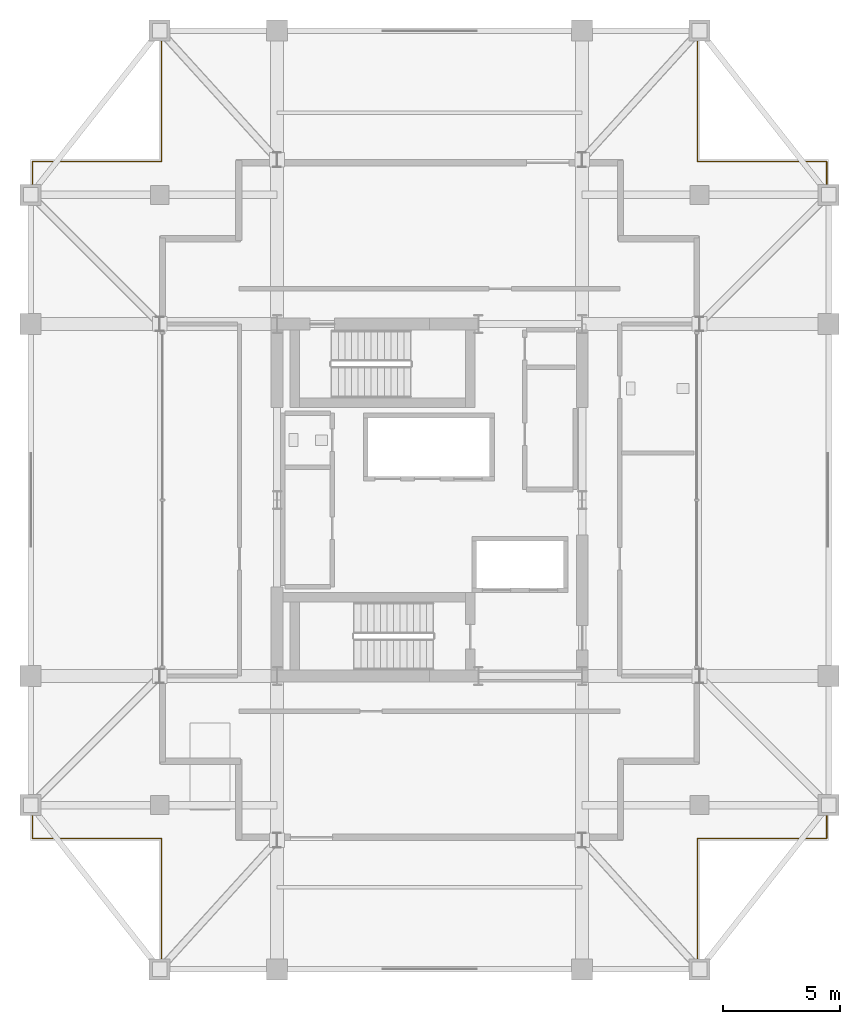
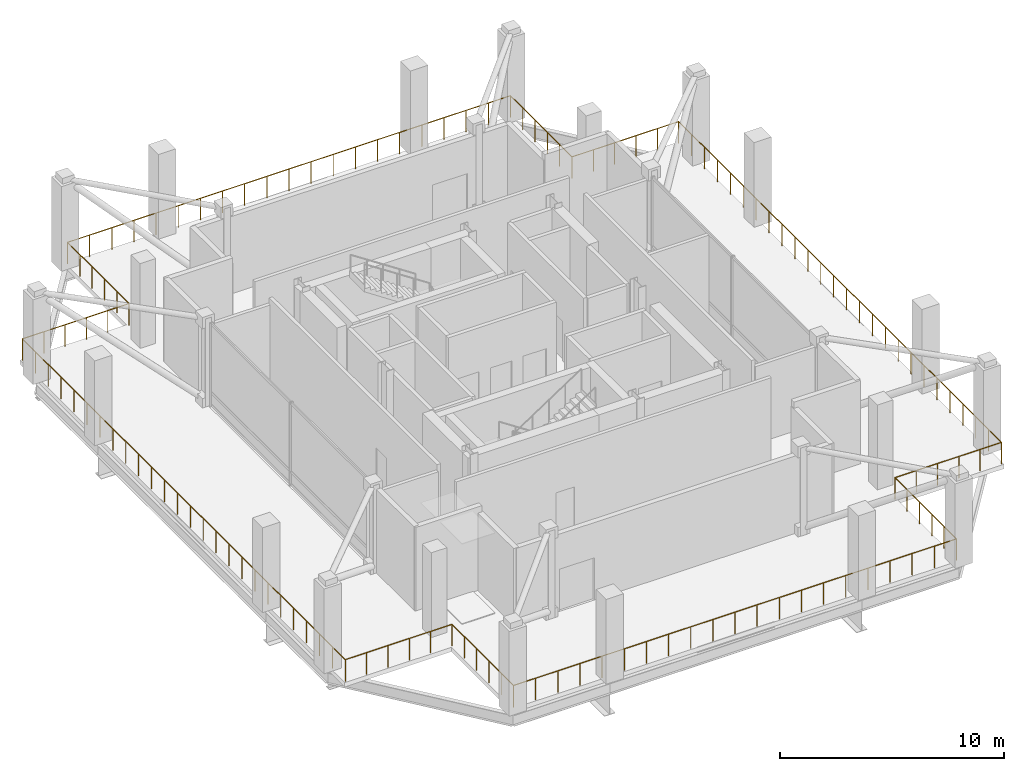
# One storey, part 15 of 17: 1 railing.
"""IFC4 building model written with IfcOpenShell, lengths in metres."""

import ifcopenshell
import ifcopenshell.guid

model = None  # the IFC model being written
_history = None  # IfcOwnerHistory: only IFC2X3 demands one
_inside = {}  # id of a spatial element -> (the spatial element, [elements in it])
_under = {}  # id of a project, library or spatial element -> (it, [spatial elements below it])
_declared = {}  # id of a project -> (the project, [libraries it declares])
_typed = {}  # id of a type object -> (the type object, [elements of that type])
_made_of = {}  # id of a material, layer set ... -> (it, [elements and type objects made of it])


def new_model(schema):
    """Start an empty IFC model of exactly this schema.

    Asked for "IFC4X3", IfcOpenShell would pick the latest addendum, in which some entities
    have other attributes; the version numbers below select the first issue.
    IFC2X3 requires an IfcOwnerHistory on every rooted entity: one is made here for all.
    """
    global model, _history
    if schema == "IFC4X3":
        model = ifcopenshell.file(schema_version=(4, 3, 0, 0))
    else:
        model = ifcopenshell.file(schema=schema)
    _inside.clear()
    _under.clear()
    _declared.clear()
    _typed.clear()
    _made_of.clear()
    _history = None
    if model.schema == "IFC2X3":
        org = make("IfcOrganization", Name="unknown")
        user = make(
            "IfcPersonAndOrganization",
            ThePerson=make("IfcPerson", FamilyName="unknown"),
            TheOrganization=org,
        )
        app = make(
            "IfcApplication",
            ApplicationDeveloper=org,
            Version="unknown",
            ApplicationFullName="unknown",
            ApplicationIdentifier="unknown",
        )
        _history = make(
            "IfcOwnerHistory",
            OwningUser=user,
            OwningApplication=app,
            ChangeAction="ADDED",
            CreationDate=0,
        )
    return model


def make(cls, **values):
    """One entity of the class cls with the attributes given. An attribute that is None is left unset."""
    return model.create_entity(
        cls, **{name: value for name, value in values.items() if value is not None}
    )


def rooted(cls, **values):
    """An entity with a GlobalId (a new one), such as an element, a storey or a relation."""
    return make(cls, GlobalId=ifcopenshell.guid.new(), OwnerHistory=_history, **values)


def si_unit(unit_type, name, prefix=None):
    """IfcSIUnit, for example si_unit("LENGTHUNIT", "METRE", prefix="MILLI")."""
    return make("IfcSIUnit", UnitType=unit_type, Prefix=prefix, Name=name)


def assignment(units):
    """IfcUnitAssignment: the units of a project."""
    return None if units is None else make("IfcUnitAssignment", Units=units)


def point(xyz):
    """IfcCartesianPoint."""
    return None if xyz is None else make("IfcCartesianPoint", Coordinates=xyz)


def direction(xyz):
    """IfcDirection."""
    return None if xyz is None else make("IfcDirection", DirectionRatios=xyz)


def frame(location, z_axis=None, x_axis=None):
    """IfcAxis2Placement3D, a coordinate frame: its origin and axes. An axis left out is left unset."""
    return make(
        "IfcAxis2Placement3D",
        Location=point(location),
        Axis=direction(z_axis),
        RefDirection=direction(x_axis),
    )


def frame_2d(location, x_axis=None):
    """IfcAxis2Placement2D, a coordinate frame in the plane: its origin and x axis."""
    return make(
        "IfcAxis2Placement2D", Location=point(location), RefDirection=direction(x_axis)
    )


def origin():
    """The frame at (0, 0, 0) with its axes left unset."""
    return frame((0.0, 0.0, 0.0))


def origin_2d():
    """The frame at (0, 0) in the plane with its x axis left unset."""
    return frame_2d((0.0, 0.0))


def place(relative_to, where):
    """IfcLocalPlacement: puts the frame where relative to a parent placement (None: the world)."""
    return make(
        "IfcLocalPlacement", PlacementRelTo=relative_to, RelativePlacement=where
    )


def context(
    kind, dimensions, precision=None, world=None, true_north=None, identifier=None
):
    """IfcGeometricRepresentationContext, for example the 3D "Model" context."""
    return make(
        "IfcGeometricRepresentationContext",
        ContextIdentifier=identifier,
        ContextType=kind,
        CoordinateSpaceDimension=dimensions,
        Precision=precision,
        WorldCoordinateSystem=world,
        TrueNorth=true_north,
    )


def subcontext(parent, identifier, kind, view, scale=None):
    """IfcGeometricRepresentationSubContext, for example "Body" below "Model"."""
    return make(
        "IfcGeometricRepresentationSubContext",
        ContextIdentifier=identifier,
        ContextType=kind,
        ParentContext=parent,
        TargetScale=scale,
        TargetView=view,
    )


def project(units=None, contexts=None):
    """IfcProject with its units and contexts."""
    return rooted(
        "IfcProject",
        Name="project",
        RepresentationContexts=contexts,
        UnitsInContext=assignment(units),
    )


def spatial(cls, under=None, at=None, **own):
    """A site, building, storey or space (cls), placed at a placement, below another one or the project."""
    s = rooted(cls, ObjectPlacement=at, **own)
    if under is not None:
        _under.setdefault(under.id(), (under, []))[1].append(s)
    return s


def profile(cls, at=None, kind="AREA", **sizes):
    """A parametric profile (cls). Its sizes go by their IFC names, for example OverallWidth=200.0."""
    return make(cls, ProfileType=kind, Position=at, **sizes)


def circle(**sizes):
    """IfcCircleProfileDef."""
    return profile("IfcCircleProfileDef", **sizes)


def extrude(swept, where, along, depth):
    """IfcExtrudedAreaSolid: the profile swept, set in the frame where, extruded along a direction by depth."""
    return make(
        "IfcExtrudedAreaSolid",
        SweptArea=swept,
        Position=where,
        ExtrudedDirection=direction(along),
        Depth=depth,
    )


def shape(context_of_items, identifier, shape_type, items):
    """IfcShapeRepresentation: the items that make up one representation, for example the "Body"."""
    return make(
        "IfcShapeRepresentation",
        ContextOfItems=context_of_items,
        RepresentationIdentifier=identifier,
        RepresentationType=shape_type,
        Items=items,
    )


def material(Name=None, Category=None):
    """IfcMaterial."""
    return make("IfcMaterial", Name=Name, Category=Category)


def made_of(thing, what):
    """Note that an element or type object is made of a material, layer set ...; save() writes the relation."""
    if what is not None:
        _made_of.setdefault(what.id(), (what, []))[1].append(thing)
    return thing


def type_object(cls, material=None, **own):
    """A type object (cls), such as IfcWallType, which elements share."""
    return made_of(rooted(cls, **own), material)


def element(
    cls,
    number,
    at=None,
    inside=None,
    cuts=None,
    type_object=None,
    material=None,
    context=None,
    identifier="Body",
    shape_type=None,
    held_by="IfcProductDefinitionShape",
    body=None,
    shapes=None,
    **own,
):
    """One element of the class cls, such as IfcWall. Its Tag is "e" and its number.

    at: its placement. inside: the storey or other place that contains it. cuts: it is an
    opening in that element (IfcRelVoidsElement). A single representation is given by context,
    identifier, shape_type and body (its items); several are given by shapes. held_by: the class
    of the entity that holds the representations. save() writes the other relations.
    """
    e = rooted(cls, Tag="e%d" % number, ObjectPlacement=at, **own)
    if body is not None:
        shapes = [shape(context, identifier, shape_type, body)]
    if shapes is not None:
        e.Representation = make(held_by, Representations=shapes)
    if inside is not None:
        _inside.setdefault(inside.id(), (inside, []))[1].append(e)
    if cuts is not None:
        rooted(
            "IfcRelVoidsElement", RelatingBuildingElement=cuts, RelatedOpeningElement=e
        )
    if type_object is not None:
        _typed.setdefault(type_object.id(), (type_object, []))[1].append(e)
    return made_of(e, material)


def aggregate(whole, parts):
    """IfcRelAggregates: a whole, such as a stair, and the parts it consists of."""
    return rooted("IfcRelAggregates", RelatingObject=whole, RelatedObjects=parts)


def save(model, path):
    """Write the relations noted so far, then the file.

    IfcRelAggregates (storeys below a building ...), IfcRelContainedInSpatialStructure (elements
    in a storey), IfcRelDefinesByType, IfcRelAssociatesMaterial and IfcRelDeclares: one each for
    every whole, place, type object, material and project.
    """
    for whole, parts in _under.values():
        aggregate(whole, parts)
    for where, things in _inside.values():
        rooted(
            "IfcRelContainedInSpatialStructure",
            RelatedElements=things,
            RelatingStructure=where,
        )
    for kind, things in _typed.values():
        rooted("IfcRelDefinesByType", RelatedObjects=things, RelatingType=kind)
    for what, things in _made_of.values():
        rooted("IfcRelAssociatesMaterial", RelatedObjects=things, RelatingMaterial=what)
    for by, libraries in _declared.values():
        rooted("IfcRelDeclares", RelatingContext=by, RelatedDefinitions=libraries)
    model.write(path)


model = new_model("IFC4")

# Units and contexts
model_context = context("Model", 3, precision=1e-05, world=origin(), true_north=direction((0.0, 1.0)))
body_context = subcontext(model_context, "Body", "Model", "MODEL_VIEW")
ifc_project = project(units=[si_unit("LENGTHUNIT", "METRE"), si_unit("AREAUNIT", "SQUARE_METRE"), si_unit("VOLUMEUNIT", "CUBIC_METRE"), si_unit("PLANEANGLEUNIT", "RADIAN"), si_unit("MASSUNIT", "GRAM", prefix="KILO")], contexts=[model_context])

# Site, building, storey
site_placement = place(None, origin())
site = spatial("IfcSite", under=ifc_project, at=site_placement, CompositionType="ELEMENT")
building_placement = place(site_placement, origin())
building = spatial("IfcBuilding", under=site, at=building_placement, Name="Barlavira Tower and Art Museum", CompositionType="ELEMENT")
storey_placement = place(building_placement, frame((0.0, 0.0, 305.10009765625)))
storey = spatial("IfcBuildingStorey", under=building, at=storey_placement, Name="L80", CompositionType="ELEMENT", Elevation=305.10009765625)

# Railing
ifc_material = material(Name="Laminated safety glass and stainless steel", Category="steel")
railing_type = type_object("IfcRailingType", Name="Terrace and Wind-Floor Laminated Glass Balustrade 1200", PredefinedType="BALUSTRADE", material=ifc_material)
railing_placement = place(storey_placement, frame((-11.419921875, -19.919921875, 0.0)))
element("IfcRailing", 1, at=railing_placement, inside=storey, type_object=railing_type, Name="L80 Observation Deck Perimeter Balustrade", PredefinedType="BALUSTRADE", context=body_context, shape_type="SweptSolid", body=[
    extrude(circle(Radius=0.02392578125, at=origin_2d()), frame((0.0, 0.0, 1.17578125), z_axis=(1.0, 0.0, 0.0), x_axis=(0.0, 1.0, 0.0)), (0.0, 0.0, 1.0), 22.83984375),
    extrude(circle(Radius=0.02392578125, at=origin_2d()), frame((22.83984375, 0.0, 1.17578125), z_axis=(0.0, 1.0, 0.0), x_axis=(-1.0, 0.0, 0.0)), (0.0, 0.0, 1.0), 5.5),
    extrude(circle(Radius=0.02392578125, at=origin_2d()), frame((22.83984375, 5.5, 1.17578125), z_axis=(1.0, 0.0, 0.0), x_axis=(0.0, 1.0, 0.0)), (0.0, 0.0, 1.0), 5.5),
    extrude(circle(Radius=0.02392578125, at=origin_2d()), frame((28.33984375, 5.5, 1.17578125), z_axis=(0.0, 1.0, 0.0), x_axis=(-1.0, 0.0, 0.0)), (0.0, 0.0, 1.0), 28.83984375),
    extrude(circle(Radius=0.02392578125, at=origin_2d()), frame((28.33984375, 34.33984375, 1.17578125), z_axis=(-1.0, 0.0, 0.0), x_axis=(0.0, -1.0, 0.0)), (0.0, 0.0, 1.0), 5.5),
    extrude(circle(Radius=0.02392578125, at=origin_2d()), frame((22.83984375, 34.33984375, 1.17578125), z_axis=(0.0, 1.0, 0.0), x_axis=(-1.0, 0.0, 0.0)), (0.0, 0.0, 1.0), 5.5),
    extrude(circle(Radius=0.02392578125, at=origin_2d()), frame((22.83984375, 39.83984375, 1.17578125), z_axis=(-1.0, 0.0, 0.0), x_axis=(0.0, -1.0, 0.0)), (0.0, 0.0, 1.0), 22.83984375),
    extrude(circle(Radius=0.02392578125, at=origin_2d()), frame((0.0, 39.83984375, 1.17578125), z_axis=(0.0, -1.0, 0.0), x_axis=(1.0, 0.0, 0.0)), (0.0, 0.0, 1.0), 5.5),
    extrude(circle(Radius=0.02392578125, at=origin_2d()), frame((0.0, 34.33984375, 1.17578125), z_axis=(-1.0, 0.0, 0.0), x_axis=(0.0, -1.0, 0.0)), (0.0, 0.0, 1.0), 5.5),
    extrude(circle(Radius=0.02392578125, at=origin_2d()), frame((-5.5, 34.33984375, 1.17578125), z_axis=(0.0, -1.0, 0.0), x_axis=(1.0, 0.0, 0.0)), (0.0, 0.0, 1.0), 28.83984375),
    extrude(circle(Radius=0.02392578125, at=origin_2d()), frame((-5.5, 5.5, 1.17578125), z_axis=(1.0, 0.0, 0.0), x_axis=(0.0, 1.0, 0.0)), (0.0, 0.0, 1.0), 5.5),
    extrude(circle(Radius=0.02392578125, at=origin_2d()), frame((0.0, 5.5, 1.17578125), z_axis=(0.0, -1.0, 0.0), x_axis=(1.0, 0.0, 0.0)), (0.0, 0.0, 1.0), 5.5),
    extrude(circle(Radius=0.02099609375, at=origin_2d()), origin(), (0.0, 0.0, 1.0), 1.15185546875),
    extrude(circle(Radius=0.02099609375, at=origin_2d()), frame((1.14208984375, 0.0, 0.0)), (0.0, 0.0, 1.0), 1.15185546875),
    extrude(circle(Radius=0.02099609375, at=origin_2d()), frame((2.283935546875, 0.0, 0.0)), (0.0, 0.0, 1.0), 1.15185546875),
    extrude(circle(Radius=0.02099609375, at=origin_2d()), frame((3.426025390625, 0.0, 0.0)), (0.0, 0.0, 1.0), 1.15185546875),
    extrude(circle(Radius=0.02099609375, at=origin_2d()), frame((4.56787109375, 0.0, 0.0)), (0.0, 0.0, 1.0), 1.15185546875),
    extrude(circle(Radius=0.02099609375, at=origin_2d()), frame((5.7099609375, 0.0, 0.0)), (0.0, 0.0, 1.0), 1.15185546875),
    extrude(circle(Radius=0.02099609375, at=origin_2d()), frame((6.85205078125, 0.0, 0.0)), (0.0, 0.0, 1.0), 1.15185546875),
    extrude(circle(Radius=0.02099609375, at=origin_2d()), frame((7.993896484375, 0.0, 0.0)), (0.0, 0.0, 1.0), 1.15185546875),
    extrude(circle(Radius=0.02099609375, at=origin_2d()), frame((9.135986328125, 0.0, 0.0)), (0.0, 0.0, 1.0), 1.15185546875),
    extrude(circle(Radius=0.02099609375, at=origin_2d()), frame((10.27783203125, 0.0, 0.0)), (0.0, 0.0, 1.0), 1.15185546875),
    extrude(circle(Radius=0.02099609375, at=origin_2d()), frame((11.419921875, 0.0, 0.0)), (0.0, 0.0, 1.0), 1.15185546875),
    extrude(circle(Radius=0.02099609375, at=origin_2d()), frame((12.56201171875, 0.0, 0.0)), (0.0, 0.0, 1.0), 1.15185546875),
    extrude(circle(Radius=0.02099609375, at=origin_2d()), frame((13.703857421875, 0.0, 0.0)), (0.0, 0.0, 1.0), 1.15185546875),
    extrude(circle(Radius=0.02099609375, at=origin_2d()), frame((14.845947265625, 0.0, 0.0)), (0.0, 0.0, 1.0), 1.15185546875),
    extrude(circle(Radius=0.02099609375, at=origin_2d()), frame((15.98779296875, 0.0, 0.0)), (0.0, 0.0, 1.0), 1.15185546875),
    extrude(circle(Radius=0.02099609375, at=origin_2d()), frame((17.1298828125, 0.0, 0.0)), (0.0, 0.0, 1.0), 1.15185546875),
    extrude(circle(Radius=0.02099609375, at=origin_2d()), frame((18.27197265625, 0.0, 0.0)), (0.0, 0.0, 1.0), 1.15185546875),
    extrude(circle(Radius=0.02099609375, at=origin_2d()), frame((19.413818359375, 0.0, 0.0)), (0.0, 0.0, 1.0), 1.15185546875),
    extrude(circle(Radius=0.02099609375, at=origin_2d()), frame((20.555908203125, 0.0, 0.0)), (0.0, 0.0, 1.0), 1.15185546875),
    extrude(circle(Radius=0.02099609375, at=origin_2d()), frame((21.69775390625, 0.0, 0.0)), (0.0, 0.0, 1.0), 1.15185546875),
    extrude(circle(Radius=0.02099609375, at=origin_2d()), frame((22.83984375, 0.0, 0.0)), (0.0, 0.0, 1.0), 1.15185546875),
    extrude(circle(Radius=0.02099609375, at=origin_2d()), frame((22.83984375, 1.10009765625, 0.0)), (0.0, 0.0, 1.0), 1.15185546875),
    extrude(circle(Radius=0.02099609375, at=origin_2d()), frame((22.83984375, 2.199951171875, 0.0)), (0.0, 0.0, 1.0), 1.15185546875),
    extrude(circle(Radius=0.02099609375, at=origin_2d()), frame((22.83984375, 3.300048828125, 0.0)), (0.0, 0.0, 1.0), 1.15185546875),
    extrude(circle(Radius=0.02099609375, at=origin_2d()), frame((22.83984375, 4.39990234375, 0.0)), (0.0, 0.0, 1.0), 1.15185546875),
    extrude(circle(Radius=0.02099609375, at=origin_2d()), frame((22.83984375, 5.5, 0.0)), (0.0, 0.0, 1.0), 1.15185546875),
    extrude(circle(Radius=0.02099609375, at=origin_2d()), frame((23.93994140625, 5.5, 0.0)), (0.0, 0.0, 1.0), 1.15185546875),
    extrude(circle(Radius=0.02099609375, at=origin_2d()), frame((25.039794921875, 5.5, 0.0)), (0.0, 0.0, 1.0), 1.15185546875),
    extrude(circle(Radius=0.02099609375, at=origin_2d()), frame((26.139892578125, 5.5, 0.0)), (0.0, 0.0, 1.0), 1.15185546875),
    extrude(circle(Radius=0.02099609375, at=origin_2d()), frame((27.23974609375, 5.5, 0.0)), (0.0, 0.0, 1.0), 1.15185546875),
    extrude(circle(Radius=0.02099609375, at=origin_2d()), frame((28.33984375, 5.5, 0.0)), (0.0, 0.0, 1.0), 1.15185546875),
    extrude(circle(Radius=0.02099609375, at=origin_2d()), frame((28.33984375, 6.653564453125, 0.0)), (0.0, 0.0, 1.0), 1.15185546875),
    extrude(circle(Radius=0.02099609375, at=origin_2d()), frame((28.33984375, 7.80712890625, 0.0)), (0.0, 0.0, 1.0), 1.15185546875),
    extrude(circle(Radius=0.02099609375, at=origin_2d()), frame((28.33984375, 8.960693359375, 0.0)), (0.0, 0.0, 1.0), 1.15185546875),
    extrude(circle(Radius=0.02099609375, at=origin_2d()), frame((28.33984375, 10.1142578125, 0.0)), (0.0, 0.0, 1.0), 1.15185546875),
    extrude(circle(Radius=0.02099609375, at=origin_2d()), frame((28.33984375, 11.26806640625, 0.0)), (0.0, 0.0, 1.0), 1.15185546875),
    extrude(circle(Radius=0.02099609375, at=origin_2d()), frame((28.33984375, 12.421630859375, 0.0)), (0.0, 0.0, 1.0), 1.15185546875),
    extrude(circle(Radius=0.02099609375, at=origin_2d()), frame((28.33984375, 13.5751953125, 0.0)), (0.0, 0.0, 1.0), 1.15185546875),
    extrude(circle(Radius=0.02099609375, at=origin_2d()), frame((28.33984375, 14.728759765625, 0.0)), (0.0, 0.0, 1.0), 1.15185546875),
    extrude(circle(Radius=0.02099609375, at=origin_2d()), frame((28.33984375, 15.88232421875, 0.0)), (0.0, 0.0, 1.0), 1.15185546875),
    extrude(circle(Radius=0.02099609375, at=origin_2d()), frame((28.33984375, 17.035888671875, 0.0)), (0.0, 0.0, 1.0), 1.15185546875),
    extrude(circle(Radius=0.02099609375, at=origin_2d()), frame((28.33984375, 18.189453125, 0.0)), (0.0, 0.0, 1.0), 1.15185546875),
    extrude(circle(Radius=0.02099609375, at=origin_2d()), frame((28.33984375, 19.343017578125, 0.0)), (0.0, 0.0, 1.0), 1.15185546875),
    extrude(circle(Radius=0.02099609375, at=origin_2d()), frame((28.33984375, 20.496826171875, 0.0)), (0.0, 0.0, 1.0), 1.15185546875),
    extrude(circle(Radius=0.02099609375, at=origin_2d()), frame((28.33984375, 21.650390625, 0.0)), (0.0, 0.0, 1.0), 1.15185546875),
    extrude(circle(Radius=0.02099609375, at=origin_2d()), frame((28.33984375, 22.803955078125, 0.0)), (0.0, 0.0, 1.0), 1.15185546875),
    extrude(circle(Radius=0.02099609375, at=origin_2d()), frame((28.33984375, 23.95751953125, 0.0)), (0.0, 0.0, 1.0), 1.15185546875),
    extrude(circle(Radius=0.02099609375, at=origin_2d()), frame((28.33984375, 25.111083984375, 0.0)), (0.0, 0.0, 1.0), 1.15185546875),
    extrude(circle(Radius=0.02099609375, at=origin_2d()), frame((28.33984375, 26.2646484375, 0.0)), (0.0, 0.0, 1.0), 1.15185546875),
    extrude(circle(Radius=0.02099609375, at=origin_2d()), frame((28.33984375, 27.418212890625, 0.0)), (0.0, 0.0, 1.0), 1.15185546875),
    extrude(circle(Radius=0.02099609375, at=origin_2d()), frame((28.33984375, 28.57177734375, 0.0)), (0.0, 0.0, 1.0), 1.15185546875),
    extrude(circle(Radius=0.02099609375, at=origin_2d()), frame((28.33984375, 29.7255859375, 0.0)), (0.0, 0.0, 1.0), 1.15185546875),
    extrude(circle(Radius=0.02099609375, at=origin_2d()), frame((28.33984375, 30.879150390625, 0.0)), (0.0, 0.0, 1.0), 1.15185546875),
    extrude(circle(Radius=0.02099609375, at=origin_2d()), frame((28.33984375, 32.03271484375, 0.0)), (0.0, 0.0, 1.0), 1.15185546875),
    extrude(circle(Radius=0.02099609375, at=origin_2d()), frame((28.33984375, 33.186279296875, 0.0)), (0.0, 0.0, 1.0), 1.15185546875),
    extrude(circle(Radius=0.02099609375, at=origin_2d()), frame((28.33984375, 34.33984375, 0.0)), (0.0, 0.0, 1.0), 1.15185546875),
    extrude(circle(Radius=0.02099609375, at=origin_2d()), frame((27.23974609375, 34.33984375, 0.0)), (0.0, 0.0, 1.0), 1.15185546875),
    extrude(circle(Radius=0.02099609375, at=origin_2d()), frame((26.139892578125, 34.33984375, 0.0)), (0.0, 0.0, 1.0), 1.15185546875),
    extrude(circle(Radius=0.02099609375, at=origin_2d()), frame((25.039794921875, 34.33984375, 0.0)), (0.0, 0.0, 1.0), 1.15185546875),
    extrude(circle(Radius=0.02099609375, at=origin_2d()), frame((23.93994140625, 34.33984375, 0.0)), (0.0, 0.0, 1.0), 1.15185546875),
    extrude(circle(Radius=0.02099609375, at=origin_2d()), frame((22.83984375, 34.33984375, 0.0)), (0.0, 0.0, 1.0), 1.15185546875),
    extrude(circle(Radius=0.02099609375, at=origin_2d()), frame((22.83984375, 35.43994140625, 0.0)), (0.0, 0.0, 1.0), 1.15185546875),
    extrude(circle(Radius=0.02099609375, at=origin_2d()), frame((22.83984375, 36.539794921875, 0.0)), (0.0, 0.0, 1.0), 1.15185546875),
    extrude(circle(Radius=0.02099609375, at=origin_2d()), frame((22.83984375, 37.639892578125, 0.0)), (0.0, 0.0, 1.0), 1.15185546875),
    extrude(circle(Radius=0.02099609375, at=origin_2d()), frame((22.83984375, 38.73974609375, 0.0)), (0.0, 0.0, 1.0), 1.15185546875),
    extrude(circle(Radius=0.02099609375, at=origin_2d()), frame((22.83984375, 39.83984375, 0.0)), (0.0, 0.0, 1.0), 1.15185546875),
    extrude(circle(Radius=0.02099609375, at=origin_2d()), frame((21.69775390625, 39.83984375, 0.0)), (0.0, 0.0, 1.0), 1.15185546875),
    extrude(circle(Radius=0.02099609375, at=origin_2d()), frame((20.555908203125, 39.83984375, 0.0)), (0.0, 0.0, 1.0), 1.15185546875),
    extrude(circle(Radius=0.02099609375, at=origin_2d()), frame((19.413818359375, 39.83984375, 0.0)), (0.0, 0.0, 1.0), 1.15185546875),
    extrude(circle(Radius=0.02099609375, at=origin_2d()), frame((18.27197265625, 39.83984375, 0.0)), (0.0, 0.0, 1.0), 1.15185546875),
    extrude(circle(Radius=0.02099609375, at=origin_2d()), frame((17.1298828125, 39.83984375, 0.0)), (0.0, 0.0, 1.0), 1.15185546875),
    extrude(circle(Radius=0.02099609375, at=origin_2d()), frame((15.98779296875, 39.83984375, 0.0)), (0.0, 0.0, 1.0), 1.15185546875),
    extrude(circle(Radius=0.02099609375, at=origin_2d()), frame((14.845947265625, 39.83984375, 0.0)), (0.0, 0.0, 1.0), 1.15185546875),
    extrude(circle(Radius=0.02099609375, at=origin_2d()), frame((13.703857421875, 39.83984375, 0.0)), (0.0, 0.0, 1.0), 1.15185546875),
    extrude(circle(Radius=0.02099609375, at=origin_2d()), frame((12.56201171875, 39.83984375, 0.0)), (0.0, 0.0, 1.0), 1.15185546875),
    extrude(circle(Radius=0.02099609375, at=origin_2d()), frame((11.419921875, 39.83984375, 0.0)), (0.0, 0.0, 1.0), 1.15185546875),
    extrude(circle(Radius=0.02099609375, at=origin_2d()), frame((10.27783203125, 39.83984375, 0.0)), (0.0, 0.0, 1.0), 1.15185546875),
    extrude(circle(Radius=0.02099609375, at=origin_2d()), frame((9.135986328125, 39.83984375, 0.0)), (0.0, 0.0, 1.0), 1.15185546875),
    extrude(circle(Radius=0.02099609375, at=origin_2d()), frame((7.993896484375, 39.83984375, 0.0)), (0.0, 0.0, 1.0), 1.15185546875),
    extrude(circle(Radius=0.02099609375, at=origin_2d()), frame((6.85205078125, 39.83984375, 0.0)), (0.0, 0.0, 1.0), 1.15185546875),
    extrude(circle(Radius=0.02099609375, at=origin_2d()), frame((5.7099609375, 39.83984375, 0.0)), (0.0, 0.0, 1.0), 1.15185546875),
    extrude(circle(Radius=0.02099609375, at=origin_2d()), frame((4.56787109375, 39.83984375, 0.0)), (0.0, 0.0, 1.0), 1.15185546875),
    extrude(circle(Radius=0.02099609375, at=origin_2d()), frame((3.426025390625, 39.83984375, 0.0)), (0.0, 0.0, 1.0), 1.15185546875),
    extrude(circle(Radius=0.02099609375, at=origin_2d()), frame((2.283935546875, 39.83984375, 0.0)), (0.0, 0.0, 1.0), 1.15185546875),
    extrude(circle(Radius=0.02099609375, at=origin_2d()), frame((1.14208984375, 39.83984375, 0.0)), (0.0, 0.0, 1.0), 1.15185546875),
    extrude(circle(Radius=0.02099609375, at=origin_2d()), frame((0.0, 39.83984375, 0.0)), (0.0, 0.0, 1.0), 1.15185546875),
    extrude(circle(Radius=0.02099609375, at=origin_2d()), frame((0.0, 38.73974609375, 0.0)), (0.0, 0.0, 1.0), 1.15185546875),
    extrude(circle(Radius=0.02099609375, at=origin_2d()), frame((0.0, 37.639892578125, 0.0)), (0.0, 0.0, 1.0), 1.15185546875),
    extrude(circle(Radius=0.02099609375, at=origin_2d()), frame((0.0, 36.539794921875, 0.0)), (0.0, 0.0, 1.0), 1.15185546875),
    extrude(circle(Radius=0.02099609375, at=origin_2d()), frame((0.0, 35.43994140625, 0.0)), (0.0, 0.0, 1.0), 1.15185546875),
    extrude(circle(Radius=0.02099609375, at=origin_2d()), frame((0.0, 34.33984375, 0.0)), (0.0, 0.0, 1.0), 1.15185546875),
    extrude(circle(Radius=0.02099609375, at=origin_2d()), frame((-1.10009765625, 34.33984375, 0.0)), (0.0, 0.0, 1.0), 1.15185546875),
    extrude(circle(Radius=0.02099609375, at=origin_2d()), frame((-2.199951171875, 34.33984375, 0.0)), (0.0, 0.0, 1.0), 1.15185546875),
    extrude(circle(Radius=0.02099609375, at=origin_2d()), frame((-3.300048828125, 34.33984375, 0.0)), (0.0, 0.0, 1.0), 1.15185546875),
    extrude(circle(Radius=0.02099609375, at=origin_2d()), frame((-4.39990234375, 34.33984375, 0.0)), (0.0, 0.0, 1.0), 1.15185546875),
    extrude(circle(Radius=0.02099609375, at=origin_2d()), frame((-5.5, 34.33984375, 0.0)), (0.0, 0.0, 1.0), 1.15185546875),
    extrude(circle(Radius=0.02099609375, at=origin_2d()), frame((-5.5, 33.186279296875, 0.0)), (0.0, 0.0, 1.0), 1.15185546875),
    extrude(circle(Radius=0.02099609375, at=origin_2d()), frame((-5.5, 32.03271484375, 0.0)), (0.0, 0.0, 1.0), 1.15185546875),
    extrude(circle(Radius=0.02099609375, at=origin_2d()), frame((-5.5, 30.879150390625, 0.0)), (0.0, 0.0, 1.0), 1.15185546875),
    extrude(circle(Radius=0.02099609375, at=origin_2d()), frame((-5.5, 29.7255859375, 0.0)), (0.0, 0.0, 1.0), 1.15185546875),
    extrude(circle(Radius=0.02099609375, at=origin_2d()), frame((-5.5, 28.57177734375, 0.0)), (0.0, 0.0, 1.0), 1.15185546875),
    extrude(circle(Radius=0.02099609375, at=origin_2d()), frame((-5.5, 27.418212890625, 0.0)), (0.0, 0.0, 1.0), 1.15185546875),
    extrude(circle(Radius=0.02099609375, at=origin_2d()), frame((-5.5, 26.2646484375, 0.0)), (0.0, 0.0, 1.0), 1.15185546875),
    extrude(circle(Radius=0.02099609375, at=origin_2d()), frame((-5.5, 25.111083984375, 0.0)), (0.0, 0.0, 1.0), 1.15185546875),
    extrude(circle(Radius=0.02099609375, at=origin_2d()), frame((-5.5, 23.95751953125, 0.0)), (0.0, 0.0, 1.0), 1.15185546875),
    extrude(circle(Radius=0.02099609375, at=origin_2d()), frame((-5.5, 22.803955078125, 0.0)), (0.0, 0.0, 1.0), 1.15185546875),
    extrude(circle(Radius=0.02099609375, at=origin_2d()), frame((-5.5, 21.650390625, 0.0)), (0.0, 0.0, 1.0), 1.15185546875),
    extrude(circle(Radius=0.02099609375, at=origin_2d()), frame((-5.5, 20.496826171875, 0.0)), (0.0, 0.0, 1.0), 1.15185546875),
    extrude(circle(Radius=0.02099609375, at=origin_2d()), frame((-5.5, 19.343017578125, 0.0)), (0.0, 0.0, 1.0), 1.15185546875),
    extrude(circle(Radius=0.02099609375, at=origin_2d()), frame((-5.5, 18.189453125, 0.0)), (0.0, 0.0, 1.0), 1.15185546875),
    extrude(circle(Radius=0.02099609375, at=origin_2d()), frame((-5.5, 17.035888671875, 0.0)), (0.0, 0.0, 1.0), 1.15185546875),
    extrude(circle(Radius=0.02099609375, at=origin_2d()), frame((-5.5, 15.88232421875, 0.0)), (0.0, 0.0, 1.0), 1.15185546875),
    extrude(circle(Radius=0.02099609375, at=origin_2d()), frame((-5.5, 14.728759765625, 0.0)), (0.0, 0.0, 1.0), 1.15185546875),
    extrude(circle(Radius=0.02099609375, at=origin_2d()), frame((-5.5, 13.5751953125, 0.0)), (0.0, 0.0, 1.0), 1.15185546875),
    extrude(circle(Radius=0.02099609375, at=origin_2d()), frame((-5.5, 12.421630859375, 0.0)), (0.0, 0.0, 1.0), 1.15185546875),
    extrude(circle(Radius=0.02099609375, at=origin_2d()), frame((-5.5, 11.26806640625, 0.0)), (0.0, 0.0, 1.0), 1.15185546875),
    extrude(circle(Radius=0.02099609375, at=origin_2d()), frame((-5.5, 10.1142578125, 0.0)), (0.0, 0.0, 1.0), 1.15185546875),
    extrude(circle(Radius=0.02099609375, at=origin_2d()), frame((-5.5, 8.960693359375, 0.0)), (0.0, 0.0, 1.0), 1.15185546875),
    extrude(circle(Radius=0.02099609375, at=origin_2d()), frame((-5.5, 7.80712890625, 0.0)), (0.0, 0.0, 1.0), 1.15185546875),
    extrude(circle(Radius=0.02099609375, at=origin_2d()), frame((-5.5, 6.653564453125, 0.0)), (0.0, 0.0, 1.0), 1.15185546875),
    extrude(circle(Radius=0.02099609375, at=origin_2d()), frame((-5.5, 5.5, 0.0)), (0.0, 0.0, 1.0), 1.15185546875),
    extrude(circle(Radius=0.02099609375, at=origin_2d()), frame((-4.39990234375, 5.5, 0.0)), (0.0, 0.0, 1.0), 1.15185546875),
    extrude(circle(Radius=0.02099609375, at=origin_2d()), frame((-3.300048828125, 5.5, 0.0)), (0.0, 0.0, 1.0), 1.15185546875),
    extrude(circle(Radius=0.02099609375, at=origin_2d()), frame((-2.199951171875, 5.5, 0.0)), (0.0, 0.0, 1.0), 1.15185546875),
    extrude(circle(Radius=0.02099609375, at=origin_2d()), frame((-1.10009765625, 5.5, 0.0)), (0.0, 0.0, 1.0), 1.15185546875),
    extrude(circle(Radius=0.02099609375, at=origin_2d()), frame((0.0, 5.5, 0.0)), (0.0, 0.0, 1.0), 1.15185546875),
    extrude(circle(Radius=0.02099609375, at=origin_2d()), frame((0.0, 4.39990234375, 0.0)), (0.0, 0.0, 1.0), 1.15185546875),
    extrude(circle(Radius=0.02099609375, at=origin_2d()), frame((0.0, 3.300048828125, 0.0)), (0.0, 0.0, 1.0), 1.15185546875),
    extrude(circle(Radius=0.02099609375, at=origin_2d()), frame((0.0, 2.199951171875, 0.0)), (0.0, 0.0, 1.0), 1.15185546875),
    extrude(circle(Radius=0.02099609375, at=origin_2d()), frame((0.0, 1.10009765625, 0.0)), (0.0, 0.0, 1.0), 1.15185546875),
])

save(model, "model.ifc")
